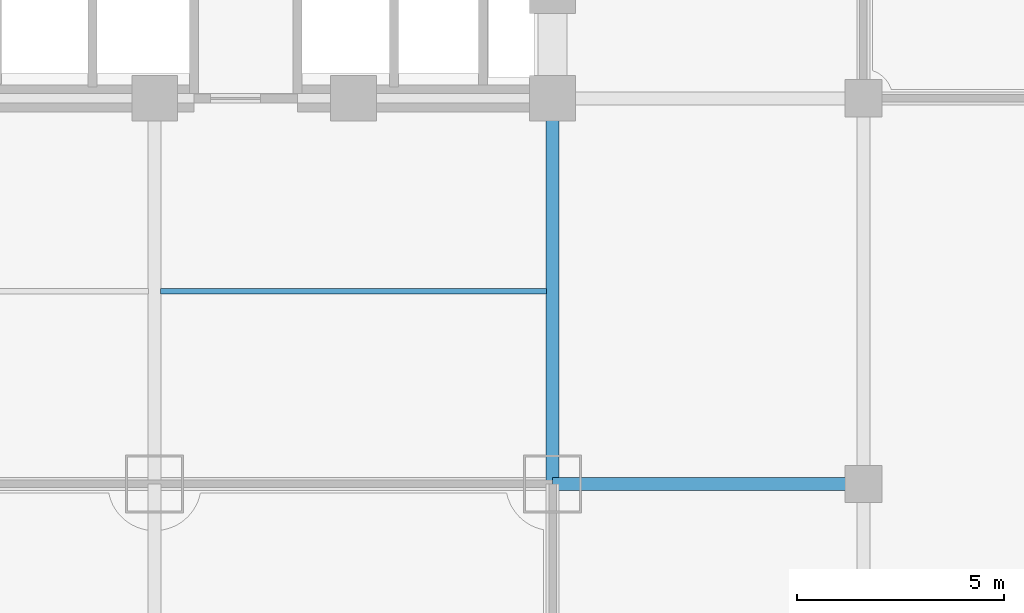
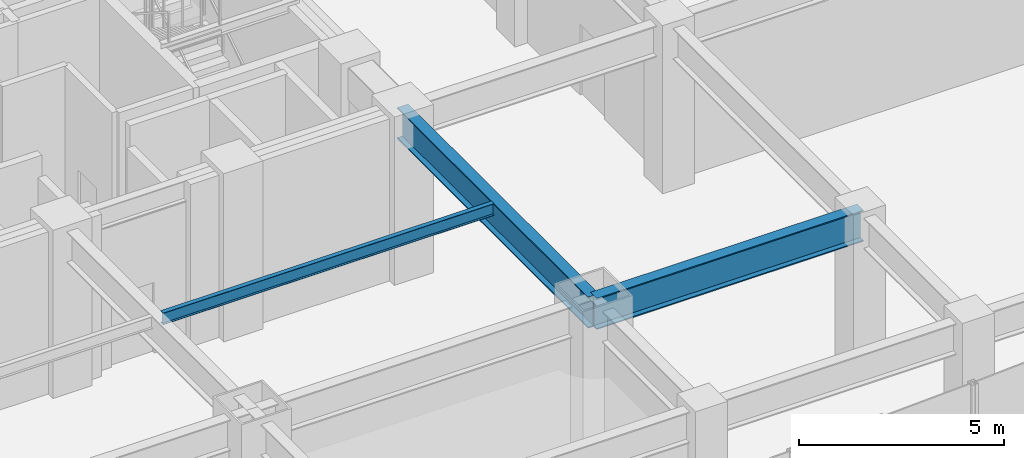
# One storey, part 8 of 24: 3 beams.
"""IFC4 building model written with IfcOpenShell, lengths in metres."""

from ifc_helpers import new_model, si_unit, direction, frame, origin, origin_2d, place, context, subcontext, project, spatial, i_section, extrude, material, material_profile, profile_set, type_object, element, save


model = new_model("IFC4")

# Units and contexts
model_context = context("Model", 3, precision=1e-05, world=origin(), true_north=direction((0.0, 1.0)))
body_context = subcontext(model_context, "Body", "Model", "MODEL_VIEW")
ifc_project = project(units=[si_unit("LENGTHUNIT", "METRE"), si_unit("AREAUNIT", "SQUARE_METRE"), si_unit("VOLUMEUNIT", "CUBIC_METRE"), si_unit("PLANEANGLEUNIT", "RADIAN"), si_unit("MASSUNIT", "GRAM", prefix="KILO")], contexts=[model_context])

# Site, building, storey
site_placement = place(None, origin())
site = spatial("IfcSite", under=ifc_project, at=site_placement, CompositionType="ELEMENT")
building_placement = place(site_placement, origin())
building = spatial("IfcBuilding", under=site, at=building_placement, Name="Vantalir Tower", CompositionType="ELEMENT")
storey_placement = place(building_placement, frame((0.0, 0.0, 6.0)))
storey = spatial("IfcBuildingStorey", under=building, at=storey_placement, Name="L01", CompositionType="ELEMENT", Elevation=6.0)

# Beams
ifc_material = material(Name="Steel S355", Category="steel")
ifc_material_profile_1 = material_profile(ifc_material, i_section(OverallWidth=0.1259765625, OverallDepth=0.35302734375, WebThickness=0.006591796875, FlangeThickness=0.0107421875, at=origin_2d()), Name="Steel S355")
ifc_profile_set_1 = profile_set([ifc_material_profile_1], Name="Steel S355")
beam_type_1 = type_object("IfcBeamType", Name="BM-JS-356x127", PredefinedType="JOIST", material=ifc_profile_set_1)
beam_1_placement = place(storey_placement, frame((31.64501953125, 13.14990234375, 4.64404296875), z_axis=(1.0, 0.0, 0.0), x_axis=(0.0, 1.0, 0.0)))
element("IfcBeam", 1, at=beam_1_placement, inside=storey, type_object=beam_type_1, Name="Level 01 Secondary Composite Joist 05", PredefinedType="JOIST", context=body_context, shape_type="SweptSolid", body=[
    extrude(i_section(OverallWidth=0.1259765625, OverallDepth=0.35302734375, WebThickness=0.006591796875, FlangeThickness=0.0107421875, at=origin_2d()), origin(), (0.0, 0.0, 1.0), 9.31005859375),
])
ifc_material_profile_2 = material_profile(ifc_material, i_section(OverallWidth=0.30810546875, OverallDepth=0.927001953125, WebThickness=0.01953125, FlangeThickness=0.031982421875, at=origin_2d()), Name="Steel S355")
ifc_profile_set_2 = profile_set([ifc_material_profile_2], Name="Steel S355")
beam_type_2 = type_object("IfcBeamType", Name="BM-PG-914x305", PredefinedType="USERDEFINED", material=ifc_profile_set_2)
beam_2_placement = place(storey_placement, frame((41.10009765625, 8.5, 4.35595703125), z_axis=(1.0, 0.0, 0.0), x_axis=(0.0, 1.0, 0.0)))
element("IfcBeam", 2, at=beam_2_placement, inside=storey, type_object=beam_type_2, Name="Level 01 Podium E-W Girder 11", ObjectType="GIRDER", PredefinedType="USERDEFINED", context=body_context, shape_type="SweptSolid", body=[
    extrude(i_section(OverallWidth=0.30810546875, OverallDepth=0.927001953125, WebThickness=0.01953125, FlangeThickness=0.031982421875, at=origin_2d()), origin(), (0.0, 0.0, 1.0), 7.5),
])
beam_3_placement = place(storey_placement, frame((41.10009765625, 8.5, 4.35595703125), z_axis=(0.0, 1.0, 0.0), x_axis=(-1.0, 0.0, 0.0)))
element("IfcBeam", 3, at=beam_3_placement, inside=storey, type_object=beam_type_2, Name="Level 01 Podium N-S Girder 68", ObjectType="GIRDER", PredefinedType="USERDEFINED", context=body_context, shape_type="SweptSolid", body=[
    extrude(i_section(OverallWidth=0.30810546875, OverallDepth=0.927001953125, WebThickness=0.01953125, FlangeThickness=0.031982421875, at=origin_2d()), origin(), (0.0, 0.0, 1.0), 9.300048828125),
])

save(model, "model.ifc")
